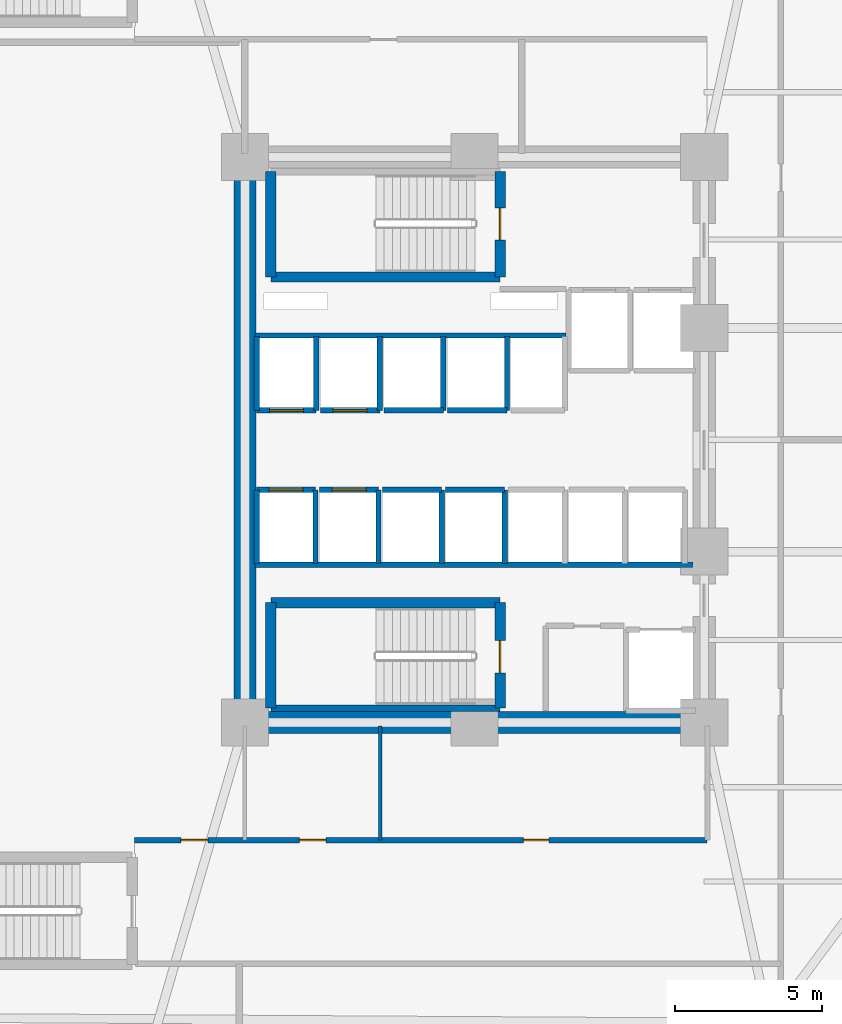
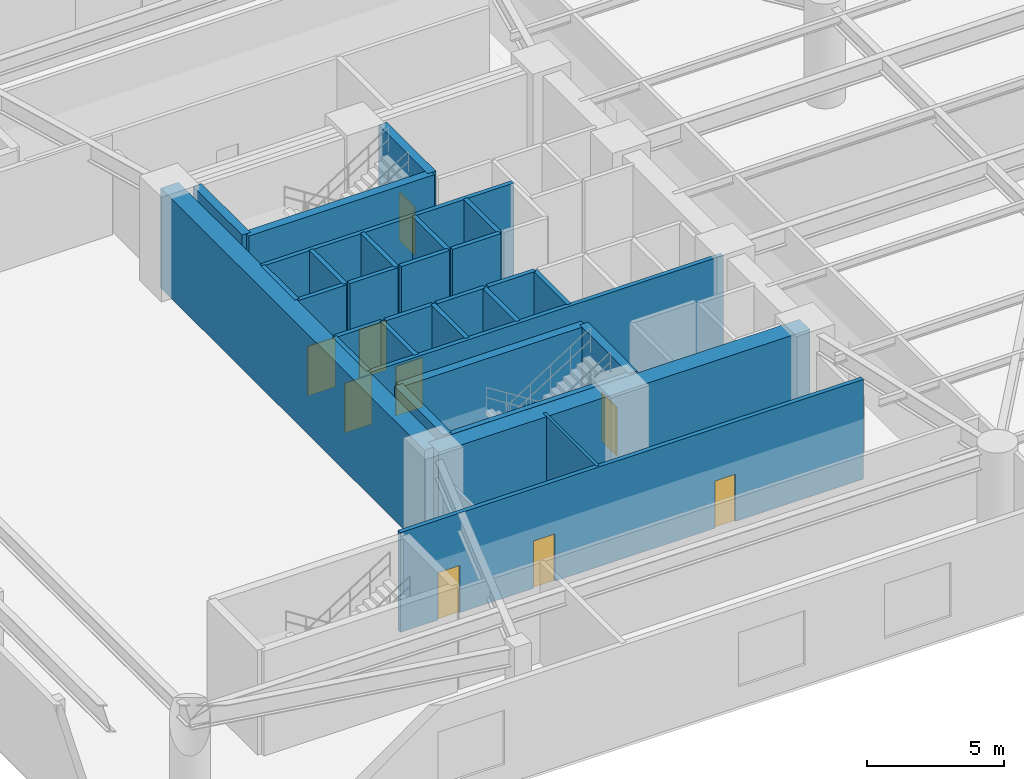
# One storey, part 9 of 16: 31 walls, 9 doors, 9 openings.
"""IFC4 building model written with IfcOpenShell, lengths in metres."""

from ifc_helpers import new_model, si_unit, direction, frame, frame_2d, origin, place, context, subcontext, project, spatial, rectangle, extrude, material, layer, layer_set, type_object, element, fill, save


model = new_model("IFC4")

# Units and contexts
model_context = context("Model", 3, precision=1e-05, world=origin(), true_north=direction((0.0, 1.0)))
body_context = subcontext(model_context, "Body", "Model", "MODEL_VIEW")
ifc_project = project(units=[si_unit("LENGTHUNIT", "METRE"), si_unit("AREAUNIT", "SQUARE_METRE"), si_unit("VOLUMEUNIT", "CUBIC_METRE"), si_unit("PLANEANGLEUNIT", "RADIAN"), si_unit("MASSUNIT", "GRAM", prefix="KILO")], contexts=[model_context])

# Site, building, storey
site_placement = place(None, origin())
site = spatial("IfcSite", under=ifc_project, at=site_placement, CompositionType="ELEMENT")
building_placement = place(site_placement, origin())
building = spatial("IfcBuilding", under=site, at=building_placement, Name="An Khanh Terracotta Commons", CompositionType="ELEMENT")
storey_placement = place(building_placement, frame((0.0, 0.0, 10.050048828125)))
storey = spatial("IfcBuildingStorey", under=building, at=storey_placement, Name="L03", CompositionType="ELEMENT", Elevation=10.050048828125)

# Walls
ifc_material_1 = material(Name="Concrete C70/85", Category="concrete")
ifc_layer_1 = layer(ifc_material_1, 0.75, Name="Concrete C70/85")
ifc_layer_set_1 = layer_set([ifc_layer_1], Name="Concrete C70/85")
wall_type_1 = type_object("IfcWallType", Name="WALL-CORE-750", PredefinedType="SHEAR", material=ifc_layer_set_1)
wall_1_placement = place(storey_placement, frame((21.60009765625, 14.39990234375, 0.0), z_axis=(0.0, 0.0, 1.0), x_axis=(0.0, 1.0, 0.0)))
element("IfcWall", 1, at=wall_1_placement, inside=storey, type_object=wall_type_1, Name="L03 Core Wall CWALL-L03-W", PredefinedType="SHEAR", context=body_context, shape_type="SweptSolid", body=[
    extrude(rectangle(XDim=19.2001953125, YDim=0.75, at=frame_2d((9.60009765625, 0.0))), origin(), (0.0, 0.0, 1.0), 4.429931640625),
])
wall_2_placement = place(storey_placement, frame((37.199951171875, 14.39990234375, 0.0), z_axis=(0.0, 0.0, 1.0), x_axis=(-1.0, 0.0, 0.0)))
element("IfcWall", 2, at=wall_2_placement, inside=storey, type_object=wall_type_1, Name="L03 Core Wall CWALL-L03-S", PredefinedType="SHEAR", context=body_context, shape_type="SweptSolid", body=[
    extrude(rectangle(XDim=15.599853515625, YDim=0.75, at=frame_2d((7.7998046875, 0.0))), origin(), (0.0, 0.0, 1.0), 4.429931640625),
])
ifc_material_2 = material(Name="Fire-Rated Gypsum Board on Steel Stud", Category="steel")
ifc_layer_2 = layer(ifc_material_2, 0.179931640625, Name="Fire-Rated Gypsum Board on Steel Stud")
ifc_layer_set_2 = layer_set([ifc_layer_2], Name="Fire-Rated Gypsum Board on Steel Stud")
wall_type_2 = type_object("IfcWallType", Name="WALL-CORR-180", PredefinedType="PARTITIONING", material=ifc_layer_set_2)
wall_3_placement = place(storey_placement, frame((21.949951171875, 27.5400390625, 0.0), z_axis=(0.0, 0.0, 1.0), x_axis=(1.0, 0.0, 0.0)))
element("IfcWall", 3, at=wall_3_placement, inside=storey, type_object=wall_type_2, Name="L03 Core Wall RSRW-L03-S", PredefinedType="PARTITIONING", context=body_context, shape_type="SweptSolid", body=[
    extrude(rectangle(XDim=10.56005859375, YDim=0.179931640625, at=frame_2d((5.280029296875, 0.0))), origin(), (0.0, 0.0, 1.0), 4.429931640625),
])
wall_4_placement = place(storey_placement, frame((21.949951171875, 19.760009765625, 0.0), z_axis=(0.0, 0.0, 1.0), x_axis=(1.0, 0.0, 0.0)))
element("IfcWall", 4, at=wall_4_placement, inside=storey, type_object=wall_type_2, Name="L03 Core Wall SVW-L03-N", PredefinedType="PARTITIONING", context=body_context, shape_type="SweptSolid", body=[
    extrude(rectangle(XDim=14.8701171875, YDim=0.179931640625, at=frame_2d((7.43505859375, 0.0))), origin(), (0.0, 0.0, 1.0), 4.429931640625),
])

# Wall, opening, door
wall_5_placement = place(storey_placement, frame((24.02001953125, 25.0, 0.0), z_axis=(0.0, 0.0, 1.0), x_axis=(-1.0, 0.0, 0.0)))
wall_5 = element("IfcWall", 5, at=wall_5_placement, inside=storey, type_object=wall_type_2, Name="L03 Core Wall LSH-L03-PL-L1-S", PredefinedType="PARTITIONING", context=body_context, shape_type="SweptSolid", body=[
    extrude(rectangle(XDim=2.02001953125, YDim=0.179931640625, at=frame_2d((1.010009765625, 0.0))), origin(), (0.0, 0.0, 1.0), 4.429931640625),
])
opening_1_placement = place(wall_5_placement, frame((0.43505859375, 0.0, 0.0)))
opening_1 = element("IfcOpeningElement", 6, at=opening_1_placement, cuts=wall_5, Name="Opening LD-PL-L1-L03", PredefinedType="OPENING", context=body_context, shape_type="SweptSolid", body=[
    extrude(rectangle(XDim=1.14990234375, YDim=2.199951171875, at=frame_2d((0.574951171875, 1.10009765625))), frame((0.0, 0.099853515625, 0.0), z_axis=(0.0, -1.0, 0.0), x_axis=(1.0, 0.0, 0.0)), (0.0, 0.0, 1.0), 0.199951171875),
])
ifc_material_3 = material(Name="Brushed Stainless Steel Passenger Landing Door", Category="steel")
door_type_1 = type_object("IfcDoorType", Name="DOOR-LD-PAX-1150", OperationType="NOTDEFINED", PredefinedType="DOOR", material=ifc_material_3)
door_1_placement = place(opening_1_placement, origin())
door_1 = element("IfcDoor", 7, at=door_1_placement, inside=storey, type_object=door_type_1, Name="L03 Lift PL-L1 Sliding Landing Door", OperationType="DOUBLE_DOOR_SLIDING", OverallHeight=2.199951171875, OverallWidth=1.14990234375, PredefinedType="DOOR", context=body_context, shape_type="SweptSolid", body=[
    extrude(rectangle(XDim=1.14990234375, YDim=2.199951171875, at=frame_2d((0.574951171875, 1.10009765625))), frame((0.0, 0.02490234375, 0.0), z_axis=(0.0, -1.0, 0.0), x_axis=(1.0, 0.0, 0.0)), (0.0, 0.0, 1.0), 0.050048828125),
])
fill(opening_1, door_1)

# Walls
for number, where, z_axis, x_axis, name in (
    (8, (24.02001953125, 25.0, 0.0), (0.0, 0.0, 1.0), (0.0, 1.0, 0.0), "L03 Core Wall LSH-L03-PL-L1-E"),
    (9, (22.0, 27.5, 0.0), (0.0, 0.0, 1.0), (0.0, -1.0, 0.0), "L03 Core Wall LSH-L03-PL-L1-W"),
):
    element("IfcWall", number, at=place(storey_placement, frame(where, z_axis=z_axis, x_axis=x_axis)), inside=storey, type_object=wall_type_2, Name=name, PredefinedType="PARTITIONING", context=body_context, shape_type="SweptSolid", body=[
        extrude(rectangle(XDim=2.5, YDim=0.179931640625, at=frame_2d((1.25, 0.0))), origin(), (0.0, 0.0, 1.0), 4.429931640625),
    ])

# Wall, opening, door
wall_6_placement = place(storey_placement, frame((26.179931640625, 25.0, 0.0), z_axis=(0.0, 0.0, 1.0), x_axis=(-1.0, 0.0, 0.0)))
wall_6 = element("IfcWall", 10, at=wall_6_placement, inside=storey, type_object=wall_type_2, Name="L03 Core Wall LSH-L03-PL-L2-S", PredefinedType="PARTITIONING", context=body_context, shape_type="SweptSolid", body=[
    extrude(rectangle(XDim=2.02001953125, YDim=0.179931640625, at=frame_2d((1.010009765625, 0.0))), origin(), (0.0, 0.0, 1.0), 4.429931640625),
])
opening_2_placement = place(wall_6_placement, frame((0.43505859375, 0.0, 0.0)))
opening_2 = element("IfcOpeningElement", 11, at=opening_2_placement, cuts=wall_6, Name="Opening LD-PL-L2-L03", PredefinedType="OPENING", context=body_context, shape_type="SweptSolid", body=[
    extrude(rectangle(XDim=1.14990234375, YDim=2.199951171875, at=frame_2d((0.574951171875, 1.10009765625))), frame((0.0, 0.099853515625, 0.0), z_axis=(0.0, -1.0, 0.0), x_axis=(1.0, 0.0, 0.0)), (0.0, 0.0, 1.0), 0.199951171875),
])
door_2_placement = place(opening_2_placement, origin())
door_2 = element("IfcDoor", 12, at=door_2_placement, inside=storey, type_object=door_type_1, Name="L03 Lift PL-L2 Sliding Landing Door", OperationType="DOUBLE_DOOR_SLIDING", OverallHeight=2.199951171875, OverallWidth=1.14990234375, PredefinedType="DOOR", context=body_context, shape_type="SweptSolid", body=[
    extrude(rectangle(XDim=1.14990234375, YDim=2.199951171875, at=frame_2d((0.574951171875, 1.10009765625))), frame((0.0, 0.02490234375, 0.0), z_axis=(0.0, -1.0, 0.0), x_axis=(1.0, 0.0, 0.0)), (0.0, 0.0, 1.0), 0.050048828125),
])
fill(opening_2, door_2)

# Wall
wall_7_placement = place(storey_placement, frame((26.179931640625, 25.0, 0.0), z_axis=(0.0, 0.0, 1.0), x_axis=(0.0, 1.0, 0.0)))
element("IfcWall", 13, at=wall_7_placement, inside=storey, type_object=wall_type_2, Name="L03 Core Wall LSH-L03-PL-L2-E", PredefinedType="PARTITIONING", context=body_context, shape_type="SweptSolid", body=[
    extrude(rectangle(XDim=2.5, YDim=0.179931640625, at=frame_2d((1.25, 0.0))), origin(), (0.0, 0.0, 1.0), 4.429931640625),
])

# Wall, opening, door
wall_8_placement = place(storey_placement, frame((22.0, 22.300048828125, 0.0), z_axis=(0.0, 0.0, 1.0), x_axis=(1.0, 0.0, 0.0)))
wall_8 = element("IfcWall", 14, at=wall_8_placement, inside=storey, type_object=wall_type_2, Name="L03 Core Wall LSH-L03-PL-L3-N", PredefinedType="PARTITIONING", context=body_context, shape_type="SweptSolid", body=[
    extrude(rectangle(XDim=2.0, YDim=0.179931640625, at=frame_2d((1.0, 0.0))), origin(), (0.0, 0.0, 1.0), 4.429931640625),
])
opening_3_placement = place(wall_8_placement, frame((0.425048828125, 0.0, 0.0)))
opening_3 = element("IfcOpeningElement", 15, at=opening_3_placement, cuts=wall_8, Name="Opening LD-PL-L3-L03", PredefinedType="OPENING", context=body_context, shape_type="SweptSolid", body=[
    extrude(rectangle(XDim=1.14990234375, YDim=2.199951171875, at=frame_2d((0.574951171875, 1.10009765625))), frame((0.0, 0.099853515625, 0.0), z_axis=(0.0, -1.0, 0.0), x_axis=(1.0, 0.0, 0.0)), (0.0, 0.0, 1.0), 0.199951171875),
])
door_3_placement = place(opening_3_placement, origin())
door_3 = element("IfcDoor", 16, at=door_3_placement, inside=storey, type_object=door_type_1, Name="L03 Lift PL-L3 Sliding Landing Door", OperationType="DOUBLE_DOOR_SLIDING", OverallHeight=2.199951171875, OverallWidth=1.14990234375, PredefinedType="DOOR", context=body_context, shape_type="SweptSolid", body=[
    extrude(rectangle(XDim=1.14990234375, YDim=2.199951171875, at=frame_2d((0.574951171875, 1.10009765625))), frame((0.0, 0.02490234375, 0.0), z_axis=(0.0, -1.0, 0.0), x_axis=(1.0, 0.0, 0.0)), (0.0, 0.0, 1.0), 0.050048828125),
])
fill(opening_3, door_3)

# Walls
for number, where, z_axis, x_axis, name in (
    (17, (24.0, 19.800048828125, 0.0), (0.0, 0.0, 1.0), (0.0, 1.0, 0.0), "L03 Core Wall LSH-L03-PL-L3-E"),
    (18, (22.0, 22.300048828125, 0.0), (0.0, 0.0, 1.0), (0.0, -1.0, 0.0), "L03 Core Wall LSH-L03-PL-L3-W"),
):
    element("IfcWall", number, at=place(storey_placement, frame(where, z_axis=z_axis, x_axis=x_axis)), inside=storey, type_object=wall_type_2, Name=name, PredefinedType="PARTITIONING", context=body_context, shape_type="SweptSolid", body=[
        extrude(rectangle(XDim=2.5, YDim=0.179931640625, at=frame_2d((1.25, 0.0))), origin(), (0.0, 0.0, 1.0), 4.429931640625),
    ])

# Wall, opening, door
wall_9_placement = place(storey_placement, frame((24.139892578125, 22.300048828125, 0.0), z_axis=(0.0, 0.0, 1.0), x_axis=(1.0, 0.0, 0.0)))
wall_9 = element("IfcWall", 19, at=wall_9_placement, inside=storey, type_object=wall_type_2, Name="L03 Core Wall LSH-L03-PL-L4-N", PredefinedType="PARTITIONING", context=body_context, shape_type="SweptSolid", body=[
    extrude(rectangle(XDim=2.0, YDim=0.179931640625, at=frame_2d((1.0, 0.0))), origin(), (0.0, 0.0, 1.0), 4.429931640625),
])
opening_4_placement = place(wall_9_placement, frame((0.425048828125, 0.0, 0.0)))
opening_4 = element("IfcOpeningElement", 20, at=opening_4_placement, cuts=wall_9, Name="Opening LD-PL-L4-L03", PredefinedType="OPENING", context=body_context, shape_type="SweptSolid", body=[
    extrude(rectangle(XDim=1.14990234375, YDim=2.199951171875, at=frame_2d((0.574951171875, 1.10009765625))), frame((0.0, 0.099853515625, 0.0), z_axis=(0.0, -1.0, 0.0), x_axis=(1.0, 0.0, 0.0)), (0.0, 0.0, 1.0), 0.199951171875),
])
door_4_placement = place(opening_4_placement, origin())
door_4 = element("IfcDoor", 21, at=door_4_placement, inside=storey, type_object=door_type_1, Name="L03 Lift PL-L4 Sliding Landing Door", OperationType="DOUBLE_DOOR_SLIDING", OverallHeight=2.199951171875, OverallWidth=1.14990234375, PredefinedType="DOOR", context=body_context, shape_type="SweptSolid", body=[
    extrude(rectangle(XDim=1.14990234375, YDim=2.199951171875, at=frame_2d((0.574951171875, 1.10009765625))), frame((0.0, 0.02490234375, 0.0), z_axis=(0.0, -1.0, 0.0), x_axis=(1.0, 0.0, 0.0)), (0.0, 0.0, 1.0), 0.050048828125),
])
fill(opening_4, door_4)

# Walls
wall_10_placement = place(storey_placement, frame((26.139892578125, 19.800048828125, 0.0), z_axis=(0.0, 0.0, 1.0), x_axis=(0.0, 1.0, 0.0)))
element("IfcWall", 22, at=wall_10_placement, inside=storey, type_object=wall_type_2, Name="L03 Core Wall LSH-L03-PL-L4-E", PredefinedType="PARTITIONING", context=body_context, shape_type="SweptSolid", body=[
    extrude(rectangle(XDim=2.5, YDim=0.179931640625, at=frame_2d((1.25, 0.0))), origin(), (0.0, 0.0, 1.0), 4.429931640625),
])
wall_11_placement = place(storey_placement, frame((28.340087890625, 25.0, 0.0), z_axis=(0.0, 0.0, 1.0), x_axis=(-1.0, 0.0, 0.0)))
element("IfcWall", 23, at=wall_11_placement, inside=storey, type_object=wall_type_2, Name="L03 Core Wall LSH-L03-PL-M1-S", PredefinedType="PARTITIONING", context=body_context, shape_type="SweptSolid", body=[
    extrude(rectangle(XDim=2.02001953125, YDim=0.179931640625, at=frame_2d((1.010009765625, 0.0))), origin(), (0.0, 0.0, 1.0), 4.429931640625),
])
wall_12_placement = place(storey_placement, frame((28.340087890625, 25.0, 0.0), z_axis=(0.0, 0.0, 1.0), x_axis=(0.0, 1.0, 0.0)))
element("IfcWall", 24, at=wall_12_placement, inside=storey, type_object=wall_type_2, Name="L03 Core Wall LSH-L03-PL-M1-E", PredefinedType="PARTITIONING", context=body_context, shape_type="SweptSolid", body=[
    extrude(rectangle(XDim=2.5, YDim=0.179931640625, at=frame_2d((1.25, 0.0))), origin(), (0.0, 0.0, 1.0), 4.429931640625),
])
wall_13_placement = place(storey_placement, frame((30.5, 25.0, 0.0), z_axis=(0.0, 0.0, 1.0), x_axis=(-1.0, 0.0, 0.0)))
element("IfcWall", 25, at=wall_13_placement, inside=storey, type_object=wall_type_2, Name="L03 Core Wall LSH-L03-PL-M2-S", PredefinedType="PARTITIONING", context=body_context, shape_type="SweptSolid", body=[
    extrude(rectangle(XDim=2.02001953125, YDim=0.179931640625, at=frame_2d((1.010009765625, 0.0))), origin(), (0.0, 0.0, 1.0), 4.429931640625),
])
wall_14_placement = place(storey_placement, frame((30.5, 25.0, 0.0), z_axis=(0.0, 0.0, 1.0), x_axis=(0.0, 1.0, 0.0)))
element("IfcWall", 26, at=wall_14_placement, inside=storey, type_object=wall_type_2, Name="L03 Core Wall LSH-L03-PL-M2-E", PredefinedType="PARTITIONING", context=body_context, shape_type="SweptSolid", body=[
    extrude(rectangle(XDim=2.5, YDim=0.179931640625, at=frame_2d((1.25, 0.0))), origin(), (0.0, 0.0, 1.0), 4.429931640625),
])
wall_15_placement = place(storey_placement, frame((26.280029296875, 22.300048828125, 0.0), z_axis=(0.0, 0.0, 1.0), x_axis=(1.0, 0.0, 0.0)))
element("IfcWall", 27, at=wall_15_placement, inside=storey, type_object=wall_type_2, Name="L03 Core Wall LSH-L03-PL-M3-N", PredefinedType="PARTITIONING", context=body_context, shape_type="SweptSolid", body=[
    extrude(rectangle(XDim=2.0, YDim=0.179931640625, at=frame_2d((1.0, 0.0))), origin(), (0.0, 0.0, 1.0), 4.429931640625),
])
wall_16_placement = place(storey_placement, frame((28.280029296875, 19.800048828125, 0.0), z_axis=(0.0, 0.0, 1.0), x_axis=(0.0, 1.0, 0.0)))
element("IfcWall", 28, at=wall_16_placement, inside=storey, type_object=wall_type_2, Name="L03 Core Wall LSH-L03-PL-M3-E", PredefinedType="PARTITIONING", context=body_context, shape_type="SweptSolid", body=[
    extrude(rectangle(XDim=2.5, YDim=0.179931640625, at=frame_2d((1.25, 0.0))), origin(), (0.0, 0.0, 1.0), 4.429931640625),
])
wall_17_placement = place(storey_placement, frame((28.419921875, 22.300048828125, 0.0), z_axis=(0.0, 0.0, 1.0), x_axis=(1.0, 0.0, 0.0)))
element("IfcWall", 29, at=wall_17_placement, inside=storey, type_object=wall_type_2, Name="L03 Core Wall LSH-L03-PL-M4-N", PredefinedType="PARTITIONING", context=body_context, shape_type="SweptSolid", body=[
    extrude(rectangle(XDim=2.0, YDim=0.179931640625, at=frame_2d((1.0, 0.0))), origin(), (0.0, 0.0, 1.0), 4.429931640625),
])
wall_18_placement = place(storey_placement, frame((30.419921875, 19.800048828125, 0.0), z_axis=(0.0, 0.0, 1.0), x_axis=(0.0, 1.0, 0.0)))
element("IfcWall", 30, at=wall_18_placement, inside=storey, type_object=wall_type_2, Name="L03 Core Wall LSH-L03-PL-M4-E", PredefinedType="PARTITIONING", context=body_context, shape_type="SweptSolid", body=[
    extrude(rectangle(XDim=2.5, YDim=0.179931640625, at=frame_2d((1.25, 0.0))), origin(), (0.0, 0.0, 1.0), 4.429931640625),
])

# Wall, openings, doors
wall_19_placement = place(storey_placement, frame((17.85009765625, 10.39990234375, 0.0), z_axis=(0.0, 0.0, 1.0), x_axis=(1.0, 0.0, 0.0)))
wall_19 = element("IfcWall", 31, at=wall_19_placement, inside=storey, type_object=wall_type_2, Name="L03 Interior Partition IW-L03-E002", PredefinedType="PARTITIONING", context=body_context, shape_type="SweptSolid", body=[
    extrude(rectangle(XDim=19.449951171875, YDim=0.179931640625, at=frame_2d((9.72509765625, 0.0))), origin(), (0.0, 0.0, 1.0), 4.429931640625),
])
opening_5_placement = place(wall_19_placement, frame((1.574951171875, 0.0, 0.0)))
opening_5 = element("IfcOpeningElement", 32, at=opening_5_placement, cuts=wall_19, Name="Opening D-RM", PredefinedType="OPENING", context=body_context, shape_type="SweptSolid", body=[
    extrude(rectangle(XDim=0.919921875, YDim=2.10009765625, at=frame_2d((0.4599609375, 1.050048828125))), frame((0.0, 0.099853515625, 0.0), z_axis=(0.0, -1.0, 0.0), x_axis=(1.0, 0.0, 0.0)), (0.0, 0.0, 1.0), 0.199951171875),
])
opening_6_placement = place(wall_19_placement, frame((5.60009765625, 0.0, 0.0)))
opening_6 = element("IfcOpeningElement", 33, at=opening_6_placement, cuts=wall_19, Name="Opening D-WC", PredefinedType="OPENING", context=body_context, shape_type="SweptSolid", body=[
    extrude(rectangle(XDim=0.89990234375, YDim=2.10009765625, at=frame_2d((0.449951171875, 1.050048828125))), frame((0.0, 0.099853515625, 0.0), z_axis=(0.0, -1.0, 0.0), x_axis=(1.0, 0.0, 0.0)), (0.0, 0.0, 1.0), 0.199951171875),
])
opening_7_placement = place(wall_19_placement, frame((13.2099609375, 0.0, 0.0)))
opening_7 = element("IfcOpeningElement", 34, at=opening_7_placement, cuts=wall_19, Name="Opening D-ENS", PredefinedType="OPENING", context=body_context, shape_type="SweptSolid", body=[
    extrude(rectangle(XDim=0.860107421875, YDim=2.10009765625, at=frame_2d((0.43017578125, 1.050048828125))), frame((0.0, 0.099853515625, 0.0), z_axis=(0.0, -1.0, 0.0), x_axis=(1.0, 0.0, 0.0)), (0.0, 0.0, 1.0), 0.199951171875),
])
ifc_material_4 = material(Name="Moisture-Resistant Hardwood Timber Leaf", Category="wood")
door_type_2 = type_object("IfcDoorType", Name="DOOR-BATH-860", OperationType="NOTDEFINED", PredefinedType="DOOR", material=ifc_material_4)
door_5_placement = place(opening_7_placement, origin())
door_5 = element("IfcDoor", 35, at=door_5_placement, inside=storey, type_object=door_type_2, Name="L03 WCB Podium Public Washroom Block Door", OperationType="SINGLE_SWING_RIGHT", OverallHeight=2.10009765625, OverallWidth=0.860107421875, PredefinedType="DOOR", context=body_context, shape_type="SweptSolid", body=[
    extrude(rectangle(XDim=0.860107421875, YDim=2.10009765625, at=frame_2d((0.43017578125, 1.050048828125))), frame((0.0, 0.02490234375, 0.0), z_axis=(0.0, -1.0, 0.0), x_axis=(1.0, 0.0, 0.0)), (0.0, 0.0, 1.0), 0.050048828125),
])
fill(opening_7, door_5)
ifc_material_5 = material(Name="Engineered Hardwood Timber Leaf", Category="wood")
door_type_3 = type_object("IfcDoorType", Name="DOOR-INT-920", OperationType="NOTDEFINED", PredefinedType="DOOR", material=ifc_material_5)
door_6_placement = place(opening_5_placement, origin())
door_6 = element("IfcDoor", 36, at=door_6_placement, inside=storey, type_object=door_type_3, Name="L03 LIB Academic Reference Reading Room Door", OperationType="SINGLE_SWING_RIGHT", OverallHeight=2.10009765625, OverallWidth=0.919921875, PredefinedType="DOOR", context=body_context, shape_type="SweptSolid", body=[
    extrude(rectangle(XDim=0.919921875, YDim=2.10009765625, at=frame_2d((0.4599609375, 1.050048828125))), frame((0.0, 0.02490234375, 0.0), z_axis=(0.0, -1.0, 0.0), x_axis=(1.0, 0.0, 0.0)), (0.0, 0.0, 1.0), 0.050048828125),
])
fill(opening_5, door_6)
ifc_material_6 = material(Name="Laminate Moisture-Resistant Timber Leaf", Category="wood")
door_type_4 = type_object("IfcDoorType", Name="DOOR-WC-900", OperationType="NOTDEFINED", PredefinedType="DOOR", material=ifc_material_6)
door_7_placement = place(opening_6_placement, origin())
door_7 = element("IfcDoor", 37, at=door_7_placement, inside=storey, type_object=door_type_4, Name="L03 AWC Public Accessible WC Door", OperationType="SINGLE_SWING_LEFT", OverallHeight=2.10009765625, OverallWidth=0.89990234375, PredefinedType="DOOR", context=body_context, shape_type="SweptSolid", body=[
    extrude(rectangle(XDim=0.89990234375, YDim=2.10009765625, at=frame_2d((0.449951171875, 1.050048828125))), frame((0.0, 0.02490234375, 0.0), z_axis=(0.0, -1.0, 0.0), x_axis=(1.0, 0.0, 0.0)), (0.0, 0.0, 1.0), 0.050048828125),
])
fill(opening_6, door_7)

# Walls
ifc_material_7 = material(Name="Acoustic Double-Stud Gypsum and Mineral Wool")
ifc_layer_3 = layer(ifc_material_7, 0.219970703125, Name="Acoustic Double-Stud Gypsum and Mineral Wool")
ifc_layer_set_3 = layer_set([ifc_layer_3], Name="Acoustic Double-Stud Gypsum and Mineral Wool")
wall_type_3 = type_object("IfcWallType", Name="WALL-PARTY-220", PredefinedType="PARTITIONING", material=ifc_layer_set_3)
wall_20_placement = place(storey_placement, frame((22.47998046875, 14.889892578125, 0.0), z_axis=(0.0, 0.0, 1.0), x_axis=(1.0, 0.0, 0.0)))
element("IfcWall", 38, at=wall_20_placement, inside=storey, type_object=wall_type_3, Name="L03 Core Wall STW-L03-S-S", PredefinedType="PARTITIONING", context=body_context, shape_type="SweptSolid", body=[
    extrude(rectangle(XDim=7.7900390625, YDim=0.219970703125, at=frame_2d((3.89501953125, 0.0))), origin(), (0.0, 0.0, 1.0), 4.429931640625),
])
ifc_material_8 = material(Name="Concrete C50/60", Category="concrete")
ifc_layer_4 = layer(ifc_material_8, 0.35009765625, Name="Concrete C50/60")
ifc_layer_set_4 = layer_set([ifc_layer_4], Name="Concrete C50/60")
wall_type_4 = type_object("IfcWallType", Name="WALL-SHAFT-350", PredefinedType="SOLIDWALL", material=ifc_layer_set_4)
wall_21_placement = place(storey_placement, frame((22.47998046875, 29.530029296875, 0.0), z_axis=(0.0, 0.0, 1.0), x_axis=(1.0, 0.0, 0.0)))
element("IfcWall", 39, at=wall_21_placement, inside=storey, type_object=wall_type_4, Name="L03 Core Wall STW-L03-N-S", PredefinedType="SOLIDWALL", context=body_context, shape_type="SweptSolid", body=[
    extrude(rectangle(XDim=7.7900390625, YDim=0.35009765625, at=frame_2d((3.89501953125, 0.0))), origin(), (0.0, 0.0, 1.0), 4.429931640625),
])
wall_22_placement = place(storey_placement, frame((22.47998046875, 29.530029296875, 0.0), z_axis=(0.0, 0.0, 1.0), x_axis=(0.0, 1.0, 0.0)))
element("IfcWall", 40, at=wall_22_placement, inside=storey, type_object=wall_type_4, Name="L03 Core Wall STW-L03-N-W", PredefinedType="SOLIDWALL", context=body_context, shape_type="SweptSolid", body=[
    extrude(rectangle(XDim=3.580078125, YDim=0.35009765625, at=frame_2d((1.7900390625, 0.0))), origin(), (0.0, 0.0, 1.0), 4.429931640625),
])

# Wall, opening, door
wall_23_placement = place(storey_placement, frame((30.27001953125, 29.530029296875, 0.0), z_axis=(0.0, 0.0, 1.0), x_axis=(0.0, 1.0, 0.0)))
wall_23 = element("IfcWall", 41, at=wall_23_placement, inside=storey, type_object=wall_type_4, Name="L03 Core Wall STW-L03-N-E", PredefinedType="SOLIDWALL", context=body_context, shape_type="SweptSolid", body=[
    extrude(rectangle(XDim=3.580078125, YDim=0.35009765625, at=frame_2d((1.7900390625, 0.0))), origin(), (0.0, 0.0, 1.0), 4.429931640625),
])
opening_8_placement = place(wall_23_placement, frame((1.25, 0.0, 0.0)))
opening_8 = element("IfcOpeningElement", 42, at=opening_8_placement, cuts=wall_23, Name="Opening D-ST", PredefinedType="OPENING", context=body_context, shape_type="SweptSolid", body=[
    extrude(rectangle(XDim=1.10009765625, YDim=2.14990234375, at=frame_2d((0.550048828125, 1.074951171875))), frame((0.0, 0.18505859375, 0.0), z_axis=(0.0, -1.0, 0.0), x_axis=(1.0, 0.0, 0.0)), (0.0, 0.0, 1.0), 0.3701171875),
])
ifc_material_9 = material(Name="Fire-Rated Steel Leaf and Frame", Category="steel")
door_type_5 = type_object("IfcDoorType", Name="DOOR-STAIR-1100", OperationType="NOTDEFINED", PredefinedType="DOOR", material=ifc_material_9)
door_8_placement = place(opening_8_placement, origin())
door_8 = element("IfcDoor", 43, at=door_8_placement, inside=storey, type_object=door_type_5, Name="L03 Stair ST-01 Fire Door", OperationType="SINGLE_SWING_LEFT", OverallHeight=2.14990234375, OverallWidth=1.10009765625, PredefinedType="DOOR", context=body_context, shape_type="SweptSolid", body=[
    extrude(rectangle(XDim=1.10009765625, YDim=2.14990234375, at=frame_2d((0.550048828125, 1.074951171875))), frame((0.0, 0.02490234375, 0.0), z_axis=(0.0, -1.0, 0.0), x_axis=(1.0, 0.0, 0.0)), (0.0, 0.0, 1.0), 0.050048828125),
])
fill(opening_8, door_8)

# Walls
wall_24_placement = place(storey_placement, frame((22.47998046875, 18.469970703125, 0.0), z_axis=(0.0, 0.0, 1.0), x_axis=(1.0, 0.0, 0.0)))
element("IfcWall", 44, at=wall_24_placement, inside=storey, type_object=wall_type_4, Name="L03 Core Wall STW-L03-S-N", PredefinedType="SOLIDWALL", context=body_context, shape_type="SweptSolid", body=[
    extrude(rectangle(XDim=7.7900390625, YDim=0.35009765625, at=frame_2d((3.89501953125, 0.0))), origin(), (0.0, 0.0, 1.0), 4.429931640625),
])
wall_25_placement = place(storey_placement, frame((22.47998046875, 14.889892578125, 0.0), z_axis=(0.0, 0.0, 1.0), x_axis=(0.0, 1.0, 0.0)))
element("IfcWall", 45, at=wall_25_placement, inside=storey, type_object=wall_type_4, Name="L03 Core Wall STW-L03-S-W", PredefinedType="SOLIDWALL", context=body_context, shape_type="SweptSolid", body=[
    extrude(rectangle(XDim=3.580078125, YDim=0.35009765625, at=frame_2d((1.7900390625, 0.0))), origin(), (0.0, 0.0, 1.0), 4.429931640625),
])

# Wall, opening, door
wall_26_placement = place(storey_placement, frame((30.27001953125, 14.889892578125, 0.0), z_axis=(0.0, 0.0, 1.0), x_axis=(0.0, 1.0, 0.0)))
wall_26 = element("IfcWall", 46, at=wall_26_placement, inside=storey, type_object=wall_type_4, Name="L03 Core Wall STW-L03-S-E", PredefinedType="SOLIDWALL", context=body_context, shape_type="SweptSolid", body=[
    extrude(rectangle(XDim=3.580078125, YDim=0.35009765625, at=frame_2d((1.7900390625, 0.0))), origin(), (0.0, 0.0, 1.0), 4.429931640625),
])
opening_9_placement = place(wall_26_placement, frame((1.18994140625, 0.0, 0.0)))
opening_9 = element("IfcOpeningElement", 47, at=opening_9_placement, cuts=wall_26, Name="Opening D-ST", PredefinedType="OPENING", context=body_context, shape_type="SweptSolid", body=[
    extrude(rectangle(XDim=1.10009765625, YDim=2.14990234375, at=frame_2d((0.550048828125, 1.074951171875))), frame((0.0, 0.18505859375, 0.0), z_axis=(0.0, -1.0, 0.0), x_axis=(1.0, 0.0, 0.0)), (0.0, 0.0, 1.0), 0.3701171875),
])
door_9_placement = place(opening_9_placement, origin())
door_9 = element("IfcDoor", 48, at=door_9_placement, inside=storey, type_object=door_type_5, Name="L03 Stair ST-02 Fire Door", OperationType="SINGLE_SWING_RIGHT", OverallHeight=2.14990234375, OverallWidth=1.10009765625, PredefinedType="DOOR", context=body_context, shape_type="SweptSolid", body=[
    extrude(rectangle(XDim=1.10009765625, YDim=2.14990234375, at=frame_2d((0.550048828125, 1.074951171875))), frame((0.0, 0.02490234375, 0.0), z_axis=(0.0, -1.0, 0.0), x_axis=(1.0, 0.0, 0.0)), (0.0, 0.0, 1.0), 0.050048828125),
])
fill(opening_9, door_9)

# Wall
ifc_material_10 = material(Name="Moisture-Resistant Cement Board Partition")
ifc_layer_5 = layer(ifc_material_10, 0.1201171875, Name="Moisture-Resistant Cement Board Partition")
ifc_layer_set_5 = layer_set([ifc_layer_5], Name="Moisture-Resistant Cement Board Partition")
wall_type_5 = type_object("IfcWallType", Name="WALL-WET-120", PredefinedType="PARTITIONING", material=ifc_layer_set_5)
wall_27_placement = place(storey_placement, frame((26.199951171875, 10.39990234375, 0.0), z_axis=(0.0, 0.0, 1.0), x_axis=(0.0, 1.0, 0.0)))
element("IfcWall", 49, at=wall_27_placement, inside=storey, type_object=wall_type_5, Name="L03 Interior Partition IW-L03-E010", PredefinedType="PARTITIONING", context=body_context, shape_type="SweptSolid", body=[
    extrude(rectangle(XDim=3.880126953125, YDim=0.1201171875, at=frame_2d((1.93994140625, 0.0))), origin(), (0.0, 0.0, 1.0), 4.429931640625),
])

save(model, "model.ifc")
